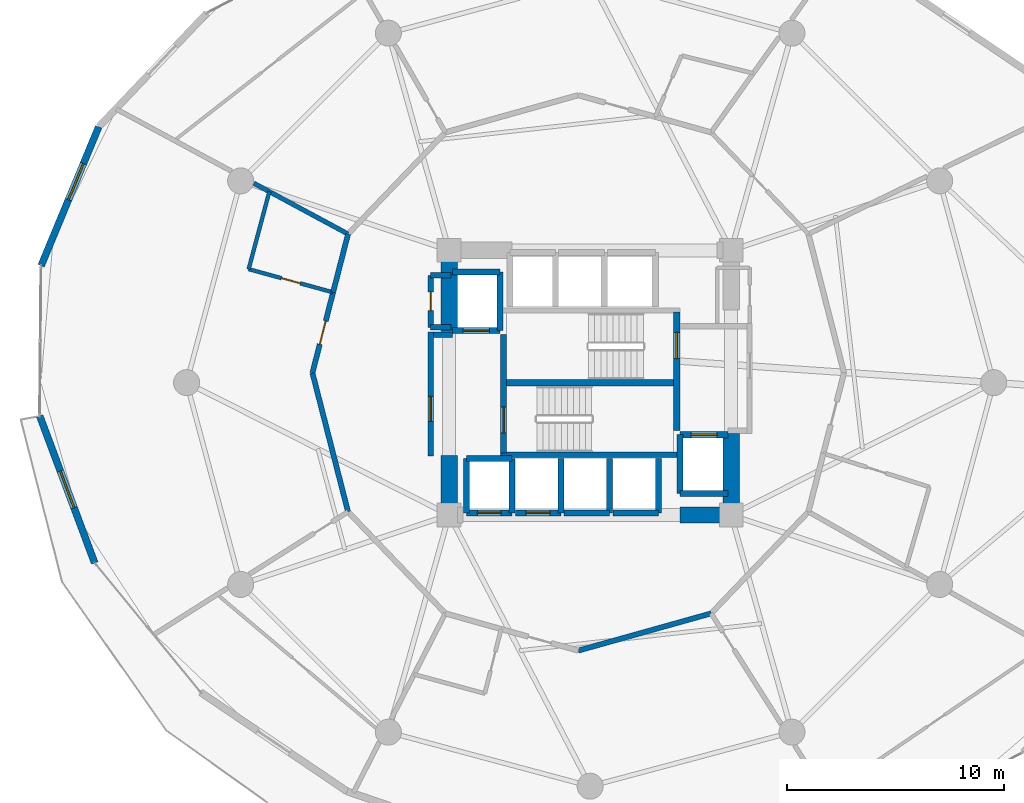
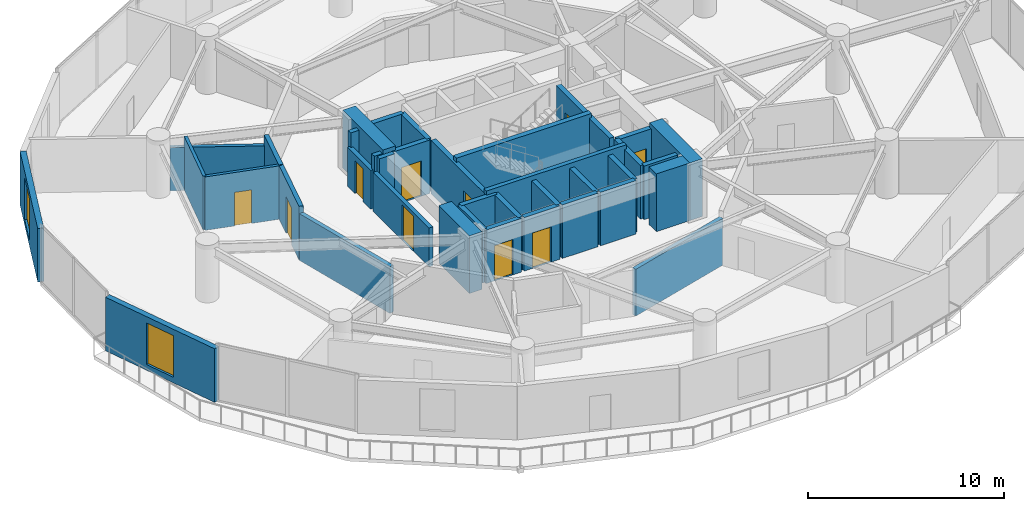
# One storey, part 15 of 20: 38 walls, 10 doors, 2 windows, 12 openings.
"""IFC4 building model written with IfcOpenShell, lengths in metres."""

from ifc_helpers import new_model, si_unit, direction, frame, frame_2d, origin, place, context, subcontext, project, spatial, rectangle, extrude, material, layer, layer_set, type_object, element, fill, save


model = new_model("IFC4")

# Units and contexts
model_context = context("Model", 3, precision=1e-05, world=origin(), true_north=direction((0.0, 1.0)))
body_context = subcontext(model_context, "Body", "Model", "MODEL_VIEW")
ifc_project = project(units=[si_unit("LENGTHUNIT", "METRE"), si_unit("AREAUNIT", "SQUARE_METRE"), si_unit("VOLUMEUNIT", "CUBIC_METRE"), si_unit("PLANEANGLEUNIT", "RADIAN"), si_unit("MASSUNIT", "GRAM", prefix="KILO")], contexts=[model_context])

# Site, building, storey
site_placement = place(None, origin())
site = spatial("IfcSite", under=ifc_project, at=site_placement, CompositionType="ELEMENT")
building_placement = place(site_placement, origin())
building = spatial("IfcBuilding", under=site, at=building_placement, Name="Solvirekh Grand Hotel", CompositionType="ELEMENT")
storey_placement = place(building_placement, frame((0.0, 0.0, 50.0)))
storey = spatial("IfcBuildingStorey", under=building, at=storey_placement, Name="L11", CompositionType="ELEMENT", Elevation=50.0)

# Wall
ifc_material_1 = material(Name="Concrete C50/60", Category="concrete")
ifc_layer_1 = layer(ifc_material_1, 0.35009765625)
ifc_layer_set_1 = layer_set([ifc_layer_1], Name="Concrete C50/60")
wall_type_1 = type_object("IfcWallType", Name="CoreDivWall_RC350", PredefinedType="SOLIDWALL", material=ifc_layer_set_1)
wall_1_placement = place(storey_placement, frame((-4.1298828125, -3.324951171875, 0.0), z_axis=(0.0, 0.0, 1.0), x_axis=(1.0, 0.0, 0.0)))
element("IfcWall", 1, at=wall_1_placement, inside=storey, type_object=wall_type_1, Name="L11 core stair box wall ST-S", PredefinedType="SOLIDWALL", context=body_context, shape_type="SweptSolid", body=[
    extrude(rectangle(XDim=8.259765625, YDim=0.25, at=frame_2d((4.1298828125, 0.0))), origin(), (0.0, 0.0, 1.0), 3.60009765625),
])

# Wall, opening, door
ifc_material_2 = material(Name="Concrete C40/50", Category="concrete")
ifc_layer_2 = layer(ifc_material_2, 0.280029296875)
ifc_layer_set_2 = layer_set([ifc_layer_2], Name="Concrete C40/50")
wall_type_2 = type_object("IfcWallType", Name="CoreShaftWall_RC280", PredefinedType="SOLIDWALL", material=ifc_layer_set_2)
wall_2_placement = place(storey_placement, frame((-5.699951171875, -6.0, 0.0), z_axis=(0.0, 0.0, 1.0), x_axis=(1.0, 0.0, 0.0)))
wall_2 = element("IfcWall", 2, at=wall_2_placement, inside=storey, type_object=wall_type_2, Name="L11 LP-1 hoistway S wall", PredefinedType="SOLIDWALL", context=body_context, shape_type="SweptSolid", body=[
    extrude(rectangle(XDim=2.099853515625, YDim=0.280029296875, at=frame_2d((1.0498046875, 0.0))), origin(), (0.0, 0.0, 1.0), 3.340087890625),
])
opening_1_placement = place(wall_2_placement, frame((0.5, 0.0, 0.0)))
opening_1 = element("IfcOpeningElement", 3, at=opening_1_placement, cuts=wall_2, Name="Opening LD01", PredefinedType="OPENING", context=body_context, shape_type="SweptSolid", body=[
    extrude(rectangle(XDim=1.10009765625, YDim=2.199951171875, at=frame_2d((0.550048828125, 1.10009765625))), frame((0.0, 0.14990234375, 0.0), z_axis=(0.0, -1.0, 0.0), x_axis=(1.0, 0.0, 0.0)), (0.0, 0.0, 1.0), 0.300048828125),
])
ifc_material_3 = material(Name="Fire-Rated Steel Door Assembly", Category="steel")
door_type_1 = type_object("IfcDoorType", Name="Door_LiftLanding_1100X2200", OperationType="SLIDING_TO_LEFT", PredefinedType="DOOR", material=ifc_material_3)
door_1_placement = place(opening_1_placement, origin())
door_1 = element("IfcDoor", 4, at=door_1_placement, inside=storey, type_object=door_type_1, Name="L11 LP-1 sliding lift landing door", OperationType="SLIDING_TO_LEFT", OverallHeight=2.199951171875, OverallWidth=1.10009765625, PredefinedType="DOOR", context=body_context, shape_type="SweptSolid", body=[
    extrude(rectangle(XDim=1.10009765625, YDim=2.199951171875, at=frame_2d((0.550048828125, 1.10009765625))), frame((0.0, 0.02490234375, 0.0), z_axis=(0.0, -1.0, 0.0), x_axis=(1.0, 0.0, 0.0)), (0.0, 0.0, 1.0), 0.050048828125),
])
fill(opening_1, door_1)

# Walls
wall_3_placement = place(storey_placement, frame((-3.60009765625, -3.5, 0.0), z_axis=(0.0, 0.0, 1.0), x_axis=(-1.0, 0.0, 0.0)))
element("IfcWall", 5, at=wall_3_placement, inside=storey, type_object=wall_type_2, Name="L11 LP-1 hoistway N wall", PredefinedType="SOLIDWALL", context=body_context, shape_type="SweptSolid", body=[
    extrude(rectangle(XDim=2.099853515625, YDim=0.280029296875, at=frame_2d((1.0498046875, 0.0))), origin(), (0.0, 0.0, 1.0), 3.340087890625),
])
for number, where, z_axis, x_axis, name in (
    (6, (-5.699951171875, -3.5, 0.0), (0.0, 0.0, 1.0), (0.0, -1.0, 0.0), "L11 LP-1 hoistway W wall"),
    (7, (-3.60009765625, -6.0, 0.0), (0.0, 0.0, 1.0), (0.0, 1.0, 0.0), "L11 LP-1 hoistway E wall"),
):
    element("IfcWall", number, at=place(storey_placement, frame(where, z_axis=z_axis, x_axis=x_axis)), inside=storey, type_object=wall_type_2, Name=name, PredefinedType="SOLIDWALL", context=body_context, shape_type="SweptSolid", body=[
        extrude(rectangle(XDim=2.5, YDim=0.280029296875, at=frame_2d((1.25, 0.0))), origin(), (0.0, 0.0, 1.0), 3.340087890625),
    ])

# Wall, opening, door
wall_4_placement = place(storey_placement, frame((-3.449951171875, -6.0, 0.0), z_axis=(0.0, 0.0, 1.0), x_axis=(1.0, 0.0, 0.0)))
wall_4 = element("IfcWall", 8, at=wall_4_placement, inside=storey, type_object=wall_type_2, Name="L11 LP-2 hoistway S wall", PredefinedType="SOLIDWALL", context=body_context, shape_type="SweptSolid", body=[
    extrude(rectangle(XDim=2.099853515625, YDim=0.280029296875, at=frame_2d((1.0498046875, 0.0))), origin(), (0.0, 0.0, 1.0), 3.340087890625),
])
opening_2_placement = place(wall_4_placement, frame((0.5, 0.0, 0.0)))
opening_2 = element("IfcOpeningElement", 9, at=opening_2_placement, cuts=wall_4, Name="Opening LD01", PredefinedType="OPENING", context=body_context, shape_type="SweptSolid", body=[
    extrude(rectangle(XDim=1.10009765625, YDim=2.199951171875, at=frame_2d((0.550048828125, 1.10009765625))), frame((0.0, 0.14990234375, 0.0), z_axis=(0.0, -1.0, 0.0), x_axis=(1.0, 0.0, 0.0)), (0.0, 0.0, 1.0), 0.300048828125),
])
door_2_placement = place(opening_2_placement, origin())
door_2 = element("IfcDoor", 10, at=door_2_placement, inside=storey, type_object=door_type_1, Name="L11 LP-2 sliding lift landing door", OperationType="SLIDING_TO_LEFT", OverallHeight=2.199951171875, OverallWidth=1.10009765625, PredefinedType="DOOR", context=body_context, shape_type="SweptSolid", body=[
    extrude(rectangle(XDim=1.10009765625, YDim=2.199951171875, at=frame_2d((0.550048828125, 1.10009765625))), frame((0.0, 0.02490234375, 0.0), z_axis=(0.0, -1.0, 0.0), x_axis=(1.0, 0.0, 0.0)), (0.0, 0.0, 1.0), 0.050048828125),
])
fill(opening_2, door_2)

# Walls
wall_5_placement = place(storey_placement, frame((-1.35009765625, -6.0, 0.0), z_axis=(0.0, 0.0, 1.0), x_axis=(0.0, 1.0, 0.0)))
element("IfcWall", 11, at=wall_5_placement, inside=storey, type_object=wall_type_2, Name="L11 LP-2 hoistway E wall", PredefinedType="SOLIDWALL", context=body_context, shape_type="SweptSolid", body=[
    extrude(rectangle(XDim=2.5, YDim=0.280029296875, at=frame_2d((1.25, 0.0))), origin(), (0.0, 0.0, 1.0), 3.340087890625),
])
wall_6_placement = place(storey_placement, frame((-1.199951171875, -6.0, 0.0), z_axis=(0.0, 0.0, 1.0), x_axis=(1.0, 0.0, 0.0)))
element("IfcWall", 12, at=wall_6_placement, inside=storey, type_object=wall_type_2, Name="L11 MP-1 hoistway S wall", PredefinedType="SOLIDWALL", context=body_context, shape_type="SweptSolid", body=[
    extrude(rectangle(XDim=2.099853515625, YDim=0.280029296875, at=frame_2d((1.0498046875, 0.0))), origin(), (0.0, 0.0, 1.0), 3.340087890625),
])
wall_7_placement = place(storey_placement, frame((0.89990234375, -6.0, 0.0), z_axis=(0.0, 0.0, 1.0), x_axis=(0.0, 1.0, 0.0)))
element("IfcWall", 13, at=wall_7_placement, inside=storey, type_object=wall_type_2, Name="L11 MP-1 hoistway E wall", PredefinedType="SOLIDWALL", context=body_context, shape_type="SweptSolid", body=[
    extrude(rectangle(XDim=2.5, YDim=0.280029296875, at=frame_2d((1.25, 0.0))), origin(), (0.0, 0.0, 1.0), 3.340087890625),
])
wall_8_placement = place(storey_placement, frame((1.050048828125, -6.0, 0.0), z_axis=(0.0, 0.0, 1.0), x_axis=(1.0, 0.0, 0.0)))
element("IfcWall", 14, at=wall_8_placement, inside=storey, type_object=wall_type_2, Name="L11 MP-2 hoistway S wall", PredefinedType="SOLIDWALL", context=body_context, shape_type="SweptSolid", body=[
    extrude(rectangle(XDim=2.099853515625, YDim=0.280029296875, at=frame_2d((1.0498046875, 0.0))), origin(), (0.0, 0.0, 1.0), 3.340087890625),
])
wall_9_placement = place(storey_placement, frame((3.14990234375, -6.0, 0.0), z_axis=(0.0, 0.0, 1.0), x_axis=(0.0, 1.0, 0.0)))
element("IfcWall", 15, at=wall_9_placement, inside=storey, type_object=wall_type_2, Name="L11 MP-2 hoistway E wall", PredefinedType="SOLIDWALL", context=body_context, shape_type="SweptSolid", body=[
    extrude(rectangle(XDim=2.5, YDim=0.280029296875, at=frame_2d((1.25, 0.0))), origin(), (0.0, 0.0, 1.0), 3.340087890625),
])

# Wall, opening, door
wall_10_placement = place(storey_placement, frame((-6.35009765625, 2.39990234375, 0.0), z_axis=(0.0, 0.0, 1.0), x_axis=(1.0, 0.0, 0.0)))
wall_10 = element("IfcWall", 16, at=wall_10_placement, inside=storey, type_object=wall_type_2, Name="L11 FL-1 hoistway S wall", PredefinedType="SOLIDWALL", context=body_context, shape_type="SweptSolid", body=[
    extrude(rectangle(XDim=2.2001953125, YDim=0.280029296875, at=frame_2d((1.10009765625, 0.0))), origin(), (0.0, 0.0, 1.0), 3.340087890625),
])
opening_3_placement = place(wall_10_placement, frame((0.5, 0.0, 0.0)))
opening_3 = element("IfcOpeningElement", 17, at=opening_3_placement, cuts=wall_10, Name="Opening LD02", PredefinedType="OPENING", context=body_context, shape_type="SweptSolid", body=[
    extrude(rectangle(XDim=1.199951171875, YDim=2.199951171875, at=frame_2d((0.60009765625, 1.10009765625))), frame((0.0, 0.14990234375, 0.0), z_axis=(0.0, -1.0, 0.0), x_axis=(1.0, 0.0, 0.0)), (0.0, 0.0, 1.0), 0.300048828125),
])
door_type_2 = type_object("IfcDoorType", Name="Door_LiftFF_1200X2200", OperationType="SLIDING_TO_LEFT", PredefinedType="DOOR", material=ifc_material_3)
door_3_placement = place(opening_3_placement, origin())
door_3 = element("IfcDoor", 18, at=door_3_placement, inside=storey, type_object=door_type_2, Name="L11 FL-1 sliding lift landing door", OperationType="SLIDING_TO_LEFT", OverallHeight=2.199951171875, OverallWidth=1.199951171875, PredefinedType="DOOR", context=body_context, shape_type="SweptSolid", body=[
    extrude(rectangle(XDim=1.199951171875, YDim=2.199951171875, at=frame_2d((0.60009765625, 1.10009765625))), frame((0.0, 0.02490234375, 0.0), z_axis=(0.0, -1.0, 0.0), x_axis=(1.0, 0.0, 0.0)), (0.0, 0.0, 1.0), 0.050048828125),
])
fill(opening_3, door_3)

# Walls
wall_11_placement = place(storey_placement, frame((-4.14990234375, 5.10009765625, 0.0), z_axis=(0.0, 0.0, 1.0), x_axis=(-1.0, 0.0, 0.0)))
element("IfcWall", 19, at=wall_11_placement, inside=storey, type_object=wall_type_2, Name="L11 FL-1 hoistway N wall", PredefinedType="SOLIDWALL", context=body_context, shape_type="SweptSolid", body=[
    extrude(rectangle(XDim=2.2001953125, YDim=0.280029296875, at=frame_2d((1.10009765625, 0.0))), origin(), (0.0, 0.0, 1.0), 3.340087890625),
])
wall_12_placement = place(storey_placement, frame((-4.14990234375, 2.39990234375, 0.0), z_axis=(0.0, 0.0, 1.0), x_axis=(0.0, 1.0, 0.0)))
element("IfcWall", 20, at=wall_12_placement, inside=storey, type_object=wall_type_2, Name="L11 FL-1 hoistway E wall", PredefinedType="SOLIDWALL", context=body_context, shape_type="SweptSolid", body=[
    extrude(rectangle(XDim=2.7001953125, YDim=0.280029296875, at=frame_2d((1.35009765625, 0.0))), origin(), (0.0, 0.0, 1.0), 3.340087890625),
])
wall_13_placement = place(storey_placement, frame((4.14990234375, -5.10009765625, 0.0), z_axis=(0.0, 0.0, 1.0), x_axis=(1.0, 0.0, 0.0)))
element("IfcWall", 21, at=wall_13_placement, inside=storey, type_object=wall_type_2, Name="L11 FL-2 hoistway S wall", PredefinedType="SOLIDWALL", context=body_context, shape_type="SweptSolid", body=[
    extrude(rectangle(XDim=2.2001953125, YDim=0.280029296875, at=frame_2d((1.10009765625, 0.0))), origin(), (0.0, 0.0, 1.0), 3.340087890625),
])

# Wall, opening, door
wall_14_placement = place(storey_placement, frame((6.35009765625, -2.39990234375, 0.0), z_axis=(0.0, 0.0, 1.0), x_axis=(-1.0, 0.0, 0.0)))
wall_14 = element("IfcWall", 22, at=wall_14_placement, inside=storey, type_object=wall_type_2, Name="L11 FL-2 hoistway N wall", PredefinedType="SOLIDWALL", context=body_context, shape_type="SweptSolid", body=[
    extrude(rectangle(XDim=2.2001953125, YDim=0.280029296875, at=frame_2d((1.10009765625, 0.0))), origin(), (0.0, 0.0, 1.0), 3.340087890625),
])
opening_4_placement = place(wall_14_placement, frame((0.5, 0.0, 0.0)))
opening_4 = element("IfcOpeningElement", 23, at=opening_4_placement, cuts=wall_14, Name="Opening LD02", PredefinedType="OPENING", context=body_context, shape_type="SweptSolid", body=[
    extrude(rectangle(XDim=1.199951171875, YDim=2.199951171875, at=frame_2d((0.60009765625, 1.10009765625))), frame((0.0, 0.14990234375, 0.0), z_axis=(0.0, -1.0, 0.0), x_axis=(1.0, 0.0, 0.0)), (0.0, 0.0, 1.0), 0.300048828125),
])
door_4_placement = place(opening_4_placement, origin())
door_4 = element("IfcDoor", 24, at=door_4_placement, inside=storey, type_object=door_type_2, Name="L11 FL-2 sliding lift landing door", OperationType="SLIDING_TO_LEFT", OverallHeight=2.199951171875, OverallWidth=1.199951171875, PredefinedType="DOOR", context=body_context, shape_type="SweptSolid", body=[
    extrude(rectangle(XDim=1.199951171875, YDim=2.199951171875, at=frame_2d((0.60009765625, 1.10009765625))), frame((0.0, 0.02490234375, 0.0), z_axis=(0.0, -1.0, 0.0), x_axis=(1.0, 0.0, 0.0)), (0.0, 0.0, 1.0), 0.050048828125),
])
fill(opening_4, door_4)

# Wall
wall_15_placement = place(storey_placement, frame((4.14990234375, -2.39990234375, 0.0), z_axis=(0.0, 0.0, 1.0), x_axis=(0.0, -1.0, 0.0)))
element("IfcWall", 25, at=wall_15_placement, inside=storey, type_object=wall_type_2, Name="L11 FL-2 hoistway W wall", PredefinedType="SOLIDWALL", context=body_context, shape_type="SweptSolid", body=[
    extrude(rectangle(XDim=2.7001953125, YDim=0.280029296875, at=frame_2d((1.35009765625, 0.0))), origin(), (0.0, 0.0, 1.0), 3.340087890625),
])

# Wall, opening, door
wall_16_placement = place(storey_placement, frame((-3.989990234375, -3.25, 0.0), z_axis=(0.0, 0.0, 1.0), x_axis=(0.0, 1.0, 0.0)))
wall_16 = element("IfcWall", 26, at=wall_16_placement, inside=storey, type_object=wall_type_2, Name="L11 west stair landing enclosure wall", PredefinedType="SOLIDWALL", context=body_context, shape_type="SweptSolid", body=[
    extrude(rectangle(XDim=5.4599609375, YDim=0.280029296875, at=frame_2d((2.72998046875, 0.0))), origin(), (0.0, 0.0, 1.0), 3.340087890625),
])
opening_5_placement = place(wall_16_placement, frame((0.93701171875, 0.0, 0.0)))
opening_5 = element("IfcOpeningElement", 27, at=opening_5_placement, cuts=wall_16, Name="Opening D05", PredefinedType="OPENING", context=body_context, shape_type="SweptSolid", body=[
    extrude(rectangle(XDim=1.199951171875, YDim=2.199951171875, at=frame_2d((0.60009765625, 1.10009765625))), frame((0.0, 0.14990234375, 0.0), z_axis=(0.0, -1.0, 0.0), x_axis=(1.0, 0.0, 0.0)), (0.0, 0.0, 1.0), 0.300048828125),
])
door_type_3 = type_object("IfcDoorType", Name="Door_StairCore_1200X2200", OperationType="NOTDEFINED", PredefinedType="DOOR", material=ifc_material_3)
door_5_placement = place(opening_5_placement, origin())
door_5 = element("IfcDoor", 28, at=door_5_placement, inside=storey, type_object=door_type_3, Name="L11 exit stair ST-1 fire door", OperationType="SINGLE_SWING_RIGHT", OverallHeight=2.199951171875, OverallWidth=1.199951171875, PredefinedType="DOOR", context=body_context, shape_type="SweptSolid", body=[
    extrude(rectangle(XDim=1.199951171875, YDim=2.199951171875, at=frame_2d((0.60009765625, 1.10009765625))), frame((0.0, 0.02490234375, 0.0), z_axis=(0.0, -1.0, 0.0), x_axis=(1.0, 0.0, 0.0)), (0.0, 0.0, 1.0), 0.050048828125),
])
fill(opening_5, door_5)

wall_17_placement = place(storey_placement, frame((3.989990234375, -2.2099609375, 0.0), z_axis=(0.0, 0.0, 1.0), x_axis=(0.0, 1.0, 0.0)))
wall_17 = element("IfcWall", 29, at=wall_17_placement, inside=storey, type_object=wall_type_2, Name="L11 east stair landing enclosure wall", PredefinedType="SOLIDWALL", context=body_context, shape_type="SweptSolid", body=[
    extrude(rectangle(XDim=5.4599609375, YDim=0.280029296875, at=frame_2d((2.72998046875, 0.0))), origin(), (0.0, 0.0, 1.0), 3.340087890625),
])
opening_6_placement = place(wall_17_placement, frame((3.322998046875, 0.0, 0.0)))
opening_6 = element("IfcOpeningElement", 30, at=opening_6_placement, cuts=wall_17, Name="Opening D05", PredefinedType="OPENING", context=body_context, shape_type="SweptSolid", body=[
    extrude(rectangle(XDim=1.199951171875, YDim=2.199951171875, at=frame_2d((0.60009765625, 1.10009765625))), frame((0.0, 0.14990234375, 0.0), z_axis=(0.0, -1.0, 0.0), x_axis=(1.0, 0.0, 0.0)), (0.0, 0.0, 1.0), 0.300048828125),
])
door_6_placement = place(opening_6_placement, origin())
door_6 = element("IfcDoor", 31, at=door_6_placement, inside=storey, type_object=door_type_3, Name="L11 exit stair ST-2 fire door", OperationType="SINGLE_SWING_LEFT", OverallHeight=2.199951171875, OverallWidth=1.199951171875, PredefinedType="DOOR", context=body_context, shape_type="SweptSolid", body=[
    extrude(rectangle(XDim=1.199951171875, YDim=2.199951171875, at=frame_2d((0.60009765625, 1.10009765625))), frame((0.0, 0.02490234375, 0.0), z_axis=(0.0, -1.0, 0.0), x_axis=(1.0, 0.0, 0.0)), (0.0, 0.0, 1.0), 0.050048828125),
])
fill(opening_6, door_6)

# Walls
ifc_material_4 = material(Name="Concrete C60/75", Category="concrete")
ifc_layer_3 = layer(ifc_material_4, 0.75)
ifc_layer_set_3 = layer_set([ifc_layer_3], Name="Concrete C60/75")
wall_type_3 = type_object("IfcWallType", Name="CoreWall_RC750", PredefinedType="SHEAR", material=ifc_layer_set_3)
wall_18_placement = place(storey_placement, frame((-3.989990234375, 0.0, 0.0), z_axis=(0.0, 0.0, 1.0), x_axis=(1.0, 0.0, 0.0)))
element("IfcWall", 32, at=wall_18_placement, inside=storey, type_object=wall_type_3, Name="L11 central stair-spine shear wall", PredefinedType="SHEAR", context=body_context, shape_type="SweptSolid", body=[
    extrude(rectangle(XDim=7.97998046875, YDim=0.300048828125, at=frame_2d((3.989990234375, 0.0))), origin(), (0.0, 0.0, 1.0), 3.60009765625),
])
wall_19_placement = place(storey_placement, frame((4.14990234375, -6.10009765625, 0.0), z_axis=(0.0, 0.0, 1.0), x_axis=(1.0, 0.0, 0.0)))
element("IfcWall", 33, at=wall_19_placement, inside=storey, type_object=wall_type_3, Name="L11 core corner shear wall SE-S", PredefinedType="SHEAR", context=body_context, shape_type="SweptSolid", body=[
    extrude(rectangle(XDim=1.97509765625, YDim=0.75, at=frame_2d((0.987548828125, 0.0))), origin(), (0.0, 0.0, 1.0), 3.60009765625),
])
wall_20_placement = place(storey_placement, frame((-6.5, 2.35009765625, 0.0), z_axis=(0.0, 0.0, 1.0), x_axis=(0.0, 1.0, 0.0)))
element("IfcWall", 34, at=wall_20_placement, inside=storey, type_object=wall_type_3, Name="L11 core corner shear wall WN-W", PredefinedType="SHEAR", context=body_context, shape_type="SweptSolid", body=[
    extrude(rectangle(XDim=4.125, YDim=0.75, at=frame_2d((2.0625, 0.0))), origin(), (0.0, 0.0, 1.0), 3.60009765625),
])
wall_21_placement = place(storey_placement, frame((-6.5, -6.47509765625, 0.0), z_axis=(0.0, 0.0, 1.0), x_axis=(0.0, 1.0, 0.0)))
element("IfcWall", 35, at=wall_21_placement, inside=storey, type_object=wall_type_3, Name="L11 core corner shear wall WS-W", PredefinedType="SHEAR", context=body_context, shape_type="SweptSolid", body=[
    extrude(rectangle(XDim=3.125, YDim=0.75, at=frame_2d((1.5625, 0.0))), origin(), (0.0, 0.0, 1.0), 3.60009765625),
])
wall_22_placement = place(storey_placement, frame((6.5, -6.47509765625, 0.0), z_axis=(0.0, 0.0, 1.0), x_axis=(0.0, 1.0, 0.0)))
element("IfcWall", 36, at=wall_22_placement, inside=storey, type_object=wall_type_3, Name="L11 core corner shear wall ES-E", PredefinedType="SHEAR", context=body_context, shape_type="SweptSolid", body=[
    extrude(rectangle(XDim=4.125, YDim=0.75, at=frame_2d((2.0625, 0.0))), origin(), (0.0, 0.0, 1.0), 3.60009765625),
])

# Wall, opening, window
ifc_material_5 = material(Name="Precast concrete C45/55", Category="concrete")
ifc_layer_4 = layer(ifc_material_5, 0.320068359375)
ifc_layer_set_4 = layer_set([ifc_layer_4], Name="Precast concrete C45/55")
wall_type_4 = type_object("IfcWallType", Name="ExtLobbyWall_RC320", PredefinedType="SOLIDWALL", material=ifc_layer_set_4)
wall_23_placement = place(storey_placement, frame((-25.305908203125, 5.39208984375, 0.0), z_axis=(0.0, 0.0, 1.0), x_axis=(0.382897635177, 0.923790777707, 0.0)))
wall_23 = element("IfcWall", 37, at=wall_23_placement, inside=storey, type_object=wall_type_4, Name="L11 exterior structural wall chord 10", PredefinedType="SOLIDWALL", context=body_context, shape_type="SweptSolid", body=[
    extrude(rectangle(XDim=6.92578125, YDim=0.320068359375, at=frame_2d((3.462890625, 0.0))), origin(), (0.0, 0.0, 1.0), 3.340087890625),
])
opening_7_placement = place(wall_23_placement, frame((3.2919921875, 0.0, 0.35009765625)))
opening_7 = element("IfcOpeningElement", 38, at=opening_7_placement, cuts=wall_23, Name="Opening W02", PredefinedType="OPENING", context=body_context, shape_type="SweptSolid", body=[
    extrude(rectangle(XDim=1.800048828125, YDim=2.60009765625, at=frame_2d((0.89990234375, 1.300048828125))), frame((0.0, 0.169921875, 0.0), z_axis=(0.0, -1.0, 0.0), x_axis=(1.0, 0.0, 0.0)), (0.0, 0.0, 1.0), 0.340087890625),
])
ifc_material_6 = material(Name="Low-E Tinted Bronze Laminated Glass", Category="aluminium")
window_type = type_object("IfcWindowType", Name="Win_LobbyExt_1800X2600", PartitioningType="SINGLE_PANEL", PredefinedType="WINDOW", material=ifc_material_6)
window_1_placement = place(opening_7_placement, origin())
window_1 = element("IfcWindow", 39, at=window_1_placement, inside=storey, type_object=window_type, Name="L11 panoramic bronze-framed window 10", OverallHeight=2.60009765625, OverallWidth=1.800048828125, PartitioningType="SINGLE_PANEL", PredefinedType="WINDOW", context=body_context, shape_type="SweptSolid", body=[
    extrude(rectangle(XDim=1.800048828125, YDim=2.60009765625, at=frame_2d((0.89990234375, 1.300048828125))), frame((0.0, 0.030029296875, 0.0), z_axis=(0.0, -1.0, 0.0), x_axis=(1.0, 0.0, 0.0)), (0.0, 0.0, 1.0), 0.06005859375),
])
fill(opening_7, window_1)

wall_24_placement = place(storey_placement, frame((-22.8359375, -8.30810546875, 0.0), z_axis=(0.0, 0.0, 1.0), x_axis=(-0.350187429463, 0.936679648677, 0.0)))
wall_24 = element("IfcWall", 40, at=wall_24_placement, inside=storey, type_object=wall_type_4, Name="L11 exterior structural wall chord 12", PredefinedType="SOLIDWALL", context=body_context, shape_type="SweptSolid", body=[
    extrude(rectangle(XDim=7.233154296875, YDim=0.320068359375, at=frame_2d((3.61669921875, 0.0))), origin(), (0.0, 0.0, 1.0), 3.340087890625),
])
opening_8_placement = place(wall_24_placement, frame((2.717041015625, 0.0, 0.35009765625)))
opening_8 = element("IfcOpeningElement", 41, at=opening_8_placement, cuts=wall_24, Name="Opening W02", PredefinedType="OPENING", context=body_context, shape_type="SweptSolid", body=[
    extrude(rectangle(XDim=1.800048828125, YDim=2.60009765625, at=frame_2d((0.89990234375, 1.300048828125))), frame((0.0, 0.169921875, 0.0), z_axis=(0.0, -1.0, 0.0), x_axis=(1.0, 0.0, 0.0)), (0.0, 0.0, 1.0), 0.340087890625),
])
window_2_placement = place(opening_8_placement, origin())
window_2 = element("IfcWindow", 42, at=window_2_placement, inside=storey, type_object=window_type, Name="L11 panoramic bronze-framed window 12", OverallHeight=2.60009765625, OverallWidth=1.800048828125, PartitioningType="SINGLE_PANEL", PredefinedType="WINDOW", context=body_context, shape_type="SweptSolid", body=[
    extrude(rectangle(XDim=1.800048828125, YDim=2.60009765625, at=frame_2d((0.89990234375, 1.300048828125))), frame((0.0, 0.030029296875, 0.0), z_axis=(0.0, -1.0, 0.0), x_axis=(1.0, 0.0, 0.0)), (0.0, 0.0, 1.0), 0.06005859375),
])
fill(opening_8, window_2)

# Wall, opening, door
ifc_material_7 = material(Name="Acoustic Gypsum Partition Assembly")
ifc_layer_5 = layer(ifc_material_7, 0.239990234375)
ifc_layer_set_5 = layer_set([ifc_layer_5], Name="Acoustic Gypsum Partition Assembly")
wall_type_5 = type_object("IfcWallType", Name="Part_Corridor_240", PredefinedType="PARTITIONING", material=ifc_layer_set_5)
wall_25_placement = place(storey_placement, frame((-7.35009765625, -3.3798828125, 0.0), z_axis=(0.0, 0.0, 1.0), x_axis=(0.0, 1.0, 0.0)))
wall_25 = element("IfcWall", 43, at=wall_25_placement, inside=storey, type_object=wall_type_5, Name="L11 west firefighting lobby smoke screen wall", PredefinedType="PARTITIONING", context=body_context, shape_type="SweptSolid", body=[
    extrude(rectangle(XDim=5.719970703125, YDim=0.239990234375, at=frame_2d((2.85986328125, 0.0))), origin(), (0.0, 0.0, 1.0), 2.425048828125),
])
opening_9_placement = place(wall_25_placement, frame((1.59912109375, 0.0, 0.0)))
opening_9 = element("IfcOpeningElement", 44, at=opening_9_placement, cuts=wall_25, Name="Opening D06", PredefinedType="OPENING", context=body_context, shape_type="SweptSolid", body=[
    extrude(rectangle(XDim=1.14990234375, YDim=2.199951171875, at=frame_2d((0.574951171875, 1.10009765625))), frame((0.0, 0.1298828125, 0.0), z_axis=(0.0, -1.0, 0.0), x_axis=(1.0, 0.0, 0.0)), (0.0, 0.0, 1.0), 0.260009765625),
])
door_type_4 = type_object("IfcDoorType", Name="Door_FFLobby_1150X2200", OperationType="NOTDEFINED", PredefinedType="DOOR", material=ifc_material_3)
door_7_placement = place(opening_9_placement, origin())
door_7 = element("IfcDoor", 45, at=door_7_placement, inside=storey, type_object=door_type_4, Name="L11 west firefighting lobby smoke door", OperationType="SINGLE_SWING_RIGHT", OverallHeight=2.199951171875, OverallWidth=1.14990234375, PredefinedType="DOOR", context=body_context, shape_type="SweptSolid", body=[
    extrude(rectangle(XDim=1.14990234375, YDim=2.199951171875, at=frame_2d((0.574951171875, 1.10009765625))), frame((0.0, 0.02490234375, 0.0), z_axis=(0.0, -1.0, 0.0), x_axis=(1.0, 0.0, 0.0)), (0.0, 0.0, 1.0), 0.050048828125),
])
fill(opening_9, door_7)

# Walls
wall_26_placement = place(storey_placement, frame((-11.158935546875, 6.85009765625, 0.0), z_axis=(0.0, 0.0, 1.0), x_axis=(-0.248286444079, -0.968686658154, 0.0)))
element("IfcWall", 46, at=wall_26_placement, inside=storey, type_object=wall_type_5, Name="L11 En-suite Bathroom 1302 corridor backing wall", PredefinedType="PARTITIONING", context=body_context, shape_type="SweptSolid", body=[
    extrude(rectangle(XDim=2.77490234375, YDim=0.239990234375, at=frame_2d((1.387451171875, 0.0))), origin(), (0.0, 0.0, 1.0), 3.340087890625),
])
wall_27_placement = place(storey_placement, frame((-12.800048828125, 0.449951171875, 0.0), z_axis=(0.0, 0.0, 1.0), x_axis=(0.24839135289, -0.968659762667, 0.0)))
element("IfcWall", 47, at=wall_27_placement, inside=storey, type_object=wall_type_5, Name="L11 Diplomatic Suite 1302 Living Room corridor wall 1", PredefinedType="PARTITIONING", context=body_context, shape_type="SweptSolid", body=[
    extrude(rectangle(XDim=6.60693359375, YDim=0.239990234375, at=frame_2d((3.303466796875, 0.0))), origin(), (0.0, 0.0, 1.0), 2.9189453125),
])

# Wall, opening, door
wall_28_placement = place(storey_placement, frame((-11.847900390625, 4.162109375, 0.0), z_axis=(0.0, 0.0, 1.0), x_axis=(-0.248451984896, -0.968644212909, 0.0)))
wall_28 = element("IfcWall", 48, at=wall_28_placement, inside=storey, type_object=wall_type_5, Name="L11 Diplomatic Suite 1302 Living Room entrance wall", PredefinedType="PARTITIONING", context=body_context, shape_type="SweptSolid", body=[
    extrude(rectangle(XDim=3.832275390625, YDim=0.239990234375, at=frame_2d((1.916015625, 0.0))), origin(), (0.0, 0.0, 1.0), 3.340087890625),
])
opening_10_placement = place(wall_28_placement, frame((1.365966796875, 0.0, 0.0)))
opening_10 = element("IfcOpeningElement", 49, at=opening_10_placement, cuts=wall_28, Name="Opening D08", PredefinedType="OPENING", context=body_context, shape_type="SweptSolid", body=[
    extrude(rectangle(XDim=1.10009765625, YDim=2.300048828125, at=frame_2d((0.550048828125, 1.14990234375))), frame((0.0, 0.1298828125, 0.0), z_axis=(0.0, -1.0, 0.0), x_axis=(1.0, 0.0, 0.0)), (0.0, 0.0, 1.0), 0.260009765625),
])
door_type_5 = type_object("IfcDoorType", Name="Door_SuiteEntry_1100X2300", OperationType="NOTDEFINED", PredefinedType="DOOR", material=ifc_material_3)
door_8_placement = place(opening_10_placement, origin())
door_8 = element("IfcDoor", 50, at=door_8_placement, inside=storey, type_object=door_type_5, Name="L11 Diplomatic Suite 1302 Living Room entrance door", OperationType="SINGLE_SWING_LEFT", OverallHeight=2.300048828125, OverallWidth=1.10009765625, PredefinedType="DOOR", context=body_context, shape_type="SweptSolid", body=[
    extrude(rectangle(XDim=1.10009765625, YDim=2.300048828125, at=frame_2d((0.550048828125, 1.14990234375))), frame((0.0, 0.02490234375, 0.0), z_axis=(0.0, -1.0, 0.0), x_axis=(1.0, 0.0, 0.0)), (0.0, 0.0, 1.0), 0.050048828125),
])
fill(opening_10, door_8)

# Walls
wall_29_placement = place(storey_placement, frame((-0.550048828125, -12.35009765625, 0.0), z_axis=(0.0, 0.0, 1.0), x_axis=(0.962960431872, 0.269642738915, 0.0)))
element("IfcWall", 51, at=wall_29_placement, inside=storey, type_object=wall_type_5, Name="L11 Diplomatic Suite 1303 Living Room corridor wall 1", PredefinedType="PARTITIONING", context=body_context, shape_type="SweptSolid", body=[
    extrude(rectangle(XDim=6.360595703125, YDim=0.239990234375, at=frame_2d((3.18017578125, 0.0))), origin(), (0.0, 0.0, 1.0), 2.9189453125),
])
ifc_layer_6 = layer(ifc_material_7, 0.260009765625)
ifc_layer_set_6 = layer_set([ifc_layer_6], Name="Acoustic Gypsum Partition Assembly")
wall_type_6 = type_object("IfcWallType", Name="Part_LobbyFF_260", PredefinedType="PARTITIONING", material=ifc_layer_set_6)
wall_30_placement = place(storey_placement, frame((-7.22509765625, 2.2099609375, 0.0), z_axis=(0.0, 0.0, 1.0), x_axis=(1.0, 0.0, 0.0)))
element("IfcWall", 52, at=wall_30_placement, inside=storey, type_object=wall_type_6, Name="L11 west firefighting lobby NW cheek", PredefinedType="PARTITIONING", context=body_context, shape_type="SweptSolid", body=[
    extrude(rectangle(XDim=0.875, YDim=0.260009765625, at=frame_2d((0.4375, 0.0))), origin(), (0.0, 0.0, 1.0), 3.340087890625),
])
for number, where, z_axis, x_axis, name in (
    (53, (-7.35009765625, 4.949951171875, 0.0), (0.0, 0.0, 1.0), (1.0, 0.0, 0.0), "L11 NW telecom metering cupboard north wall"),
    (54, (-7.35009765625, 2.550048828125, 0.0), (0.0, 0.0, 1.0), (1.0, 0.0, 0.0), "L11 NW telecom metering cupboard south wall"),
):
    element("IfcWall", number, at=place(storey_placement, frame(where, z_axis=z_axis, x_axis=x_axis)), inside=storey, type_object=wall_type_6, Name=name, PredefinedType="PARTITIONING", context=body_context, shape_type="SweptSolid", body=[
        extrude(rectangle(XDim=0.93017578125, YDim=0.260009765625, at=frame_2d((0.465087890625, 0.0))), origin(), (0.0, 0.0, 1.0), 3.340087890625),
    ])

# Wall, opening, door
wall_31_placement = place(storey_placement, frame((-7.35009765625, 2.550048828125, 0.0), z_axis=(0.0, 0.0, 1.0), x_axis=(0.0, 1.0, 0.0)))
wall_31 = element("IfcWall", 55, at=wall_31_placement, inside=storey, type_object=wall_type_6, Name="L11 NW telecom metering cupboard access wall", PredefinedType="PARTITIONING", context=body_context, shape_type="SweptSolid", body=[
    extrude(rectangle(XDim=2.39990234375, YDim=0.260009765625, at=frame_2d((1.199951171875, 0.0))), origin(), (0.0, 0.0, 1.0), 2.425048828125),
])
opening_11_placement = place(wall_31_placement, frame((0.77490234375, 0.0, 0.0)))
opening_11 = element("IfcOpeningElement", 56, at=opening_11_placement, cuts=wall_31, Name="Opening D13", PredefinedType="OPENING", context=body_context, shape_type="SweptSolid", body=[
    extrude(rectangle(XDim=0.85009765625, YDim=2.050048828125, at=frame_2d((0.425048828125, 1.02490234375))), frame((0.0, 0.14013671875, 0.0), z_axis=(0.0, -1.0, 0.0), x_axis=(1.0, 0.0, 0.0)), (0.0, 0.0, 1.0), 0.280029296875),
])
door_type_6 = type_object("IfcDoorType", Name="Door_RiserShaft_850X2050", OperationType="NOTDEFINED", PredefinedType="DOOR", material=ifc_material_3)
door_9_placement = place(opening_11_placement, origin())
door_9 = element("IfcDoor", 57, at=door_9_placement, inside=storey, type_object=door_type_6, Name="L11 telecom metering cupboard access door", OperationType="SINGLE_SWING_RIGHT", OverallHeight=2.050048828125, OverallWidth=0.85009765625, PredefinedType="DOOR", context=body_context, shape_type="SweptSolid", body=[
    extrude(rectangle(XDim=0.85009765625, YDim=2.050048828125, at=frame_2d((0.425048828125, 1.02490234375))), frame((0.0, 0.02490234375, 0.0), z_axis=(0.0, -1.0, 0.0), x_axis=(1.0, 0.0, 0.0)), (0.0, 0.0, 1.0), 0.050048828125),
])
fill(opening_11, door_9)

# Walls
ifc_layer_7 = layer(ifc_material_7, 0.2099609375)
ifc_layer_set_7 = layer_set([ifc_layer_7], Name="Acoustic Gypsum Partition Assembly")
wall_type_7 = type_object("IfcWallType", Name="Part_SuiteDemise_210", PredefinedType="PARTITIONING", material=ifc_layer_set_7)
wall_32_placement = place(storey_placement, frame((-11.158935546875, 6.85009765625, 0.0), z_axis=(0.0, 0.0, 1.0), x_axis=(-0.880265861415, 0.47448078278, 0.0)))
element("IfcWall", 58, at=wall_32_placement, inside=storey, type_object=wall_type_7, Name="L11 suite radial wall 6 (A)", PredefinedType="PARTITIONING", context=body_context, shape_type="SweptSolid", body=[
    extrude(rectangle(XDim=4.92919921875, YDim=0.2099609375, at=frame_2d((2.464599609375, 0.0))), origin(), (0.0, 0.0, 1.0), 2.7080078125),
])
ifc_layer_8 = layer(ifc_material_7, 0.175048828125)
ifc_layer_set_8 = layer_set([ifc_layer_8], Name="Acoustic Gypsum Partition Assembly")
wall_type_8 = type_object("IfcWallType", Name="Plumb_Ensuite_175", PredefinedType="PLUMBINGWALL", material=ifc_layer_set_8)
wall_33_placement = place(storey_placement, frame((-14.785888671875, 8.805908203125, 0.0), z_axis=(0.0, 0.0, 1.0), x_axis=(-0.25767908302, -0.966230557462, 0.0)))
element("IfcWall", 59, at=wall_33_placement, inside=storey, type_object=wall_type_8, Name="L11 En-suite Bathroom 1302 outer plumbing wall", PredefinedType="PLUMBINGWALL", context=body_context, shape_type="SweptSolid", body=[
    extrude(rectangle(XDim=3.698974609375, YDim=0.175048828125, at=frame_2d((1.849609375, 0.0))), origin(), (0.0, 0.0, 1.0), 3.340087890625),
])

# Wall, opening, door
wall_34_placement = place(storey_placement, frame((-11.847900390625, 4.162109375, 0.0), z_axis=(0.0, 0.0, 1.0), x_axis=(-0.964220085246, 0.265103050166, 0.0)))
wall_34 = element("IfcWall", 60, at=wall_34_placement, inside=storey, type_object=wall_type_8, Name="L11 En-suite Bathroom 1302 entry plumbing wall", PredefinedType="PLUMBINGWALL", context=body_context, shape_type="SweptSolid", body=[
    extrude(rectangle(XDim=4.035400390625, YDim=0.175048828125, at=frame_2d((2.017578125, 0.0))), origin(), (0.0, 0.0, 1.0), 3.340087890625),
])
opening_12_placement = place(wall_34_placement, frame((1.568115234375, 0.0, 0.0)))
opening_12 = element("IfcOpeningElement", 61, at=opening_12_placement, cuts=wall_34, Name="Opening D09", PredefinedType="OPENING", context=body_context, shape_type="SweptSolid", body=[
    extrude(rectangle(XDim=0.89990234375, YDim=2.10009765625, at=frame_2d((0.449951171875, 1.050048828125))), frame((0.0, 0.09765625, 0.0), z_axis=(0.0, -1.0, 0.0), x_axis=(1.0, 0.0, 0.0)), (0.0, 0.0, 1.0), 0.195068359375),
])
ifc_material_8 = material(Name="Anodized Bronze Aluminium 6063-T6", Category="aluminium")
door_type_7 = type_object("IfcDoorType", Name="Door_Ensuite_900X2100", OperationType="NOTDEFINED", PredefinedType="DOOR", material=ifc_material_8)
door_10_placement = place(opening_12_placement, origin())
door_10 = element("IfcDoor", 62, at=door_10_placement, inside=storey, type_object=door_type_7, Name="L11 En-suite Bathroom 1302 door", OperationType="SINGLE_SWING_RIGHT", OverallHeight=2.10009765625, OverallWidth=0.89990234375, PredefinedType="DOOR", context=body_context, shape_type="SweptSolid", body=[
    extrude(rectangle(XDim=0.89990234375, YDim=2.10009765625, at=frame_2d((0.449951171875, 1.050048828125))), frame((0.0, 0.02490234375, 0.0), z_axis=(0.0, -1.0, 0.0), x_axis=(1.0, 0.0, 0.0)), (0.0, 0.0, 1.0), 0.050048828125),
])
fill(opening_12, door_10)

save(model, "model.ifc")
